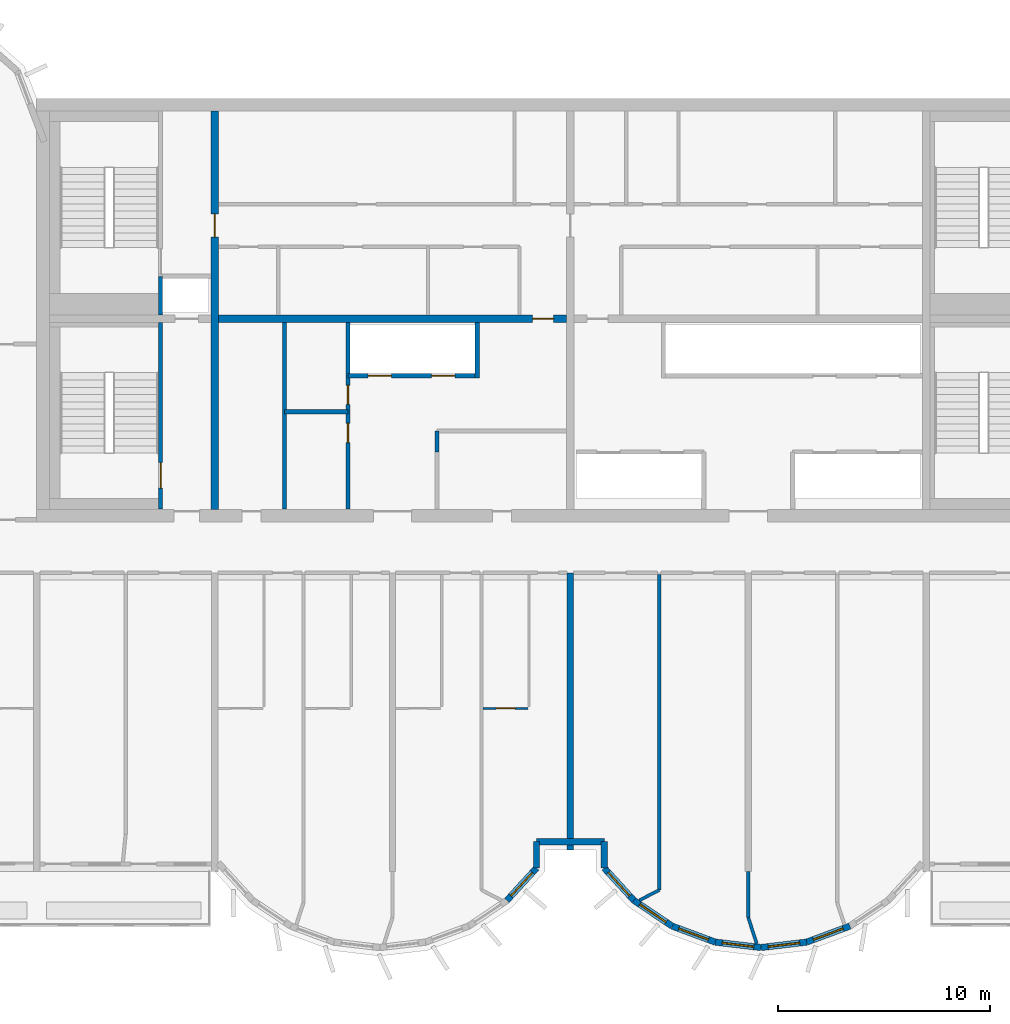
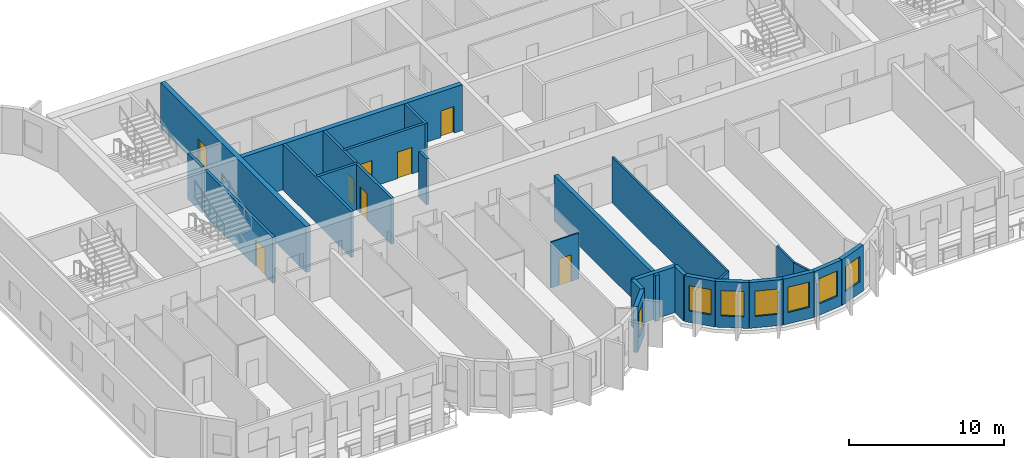
# One storey, part 4 of 12: 26 walls, 8 doors, 7 windows, 15 openings.
"""IFC4 building model written with IfcOpenShell, lengths in metres."""

from ifc_helpers import new_model, si_unit, direction, frame, frame_2d, origin, place, context, subcontext, project, spatial, rectangle, extrude, source, transform, mapped, material, layer, layer_set, type_object, element, fill, save


model = new_model("IFC4")

# Units and contexts
model_context = context("Model", 3, precision=1e-05, world=origin(), true_north=direction((0.0, 1.0)))
body_context = subcontext(model_context, "Body", "Model", "MODEL_VIEW")
ifc_project = project(units=[si_unit("LENGTHUNIT", "METRE"), si_unit("AREAUNIT", "SQUARE_METRE"), si_unit("VOLUMEUNIT", "CUBIC_METRE"), si_unit("PLANEANGLEUNIT", "RADIAN"), si_unit("MASSUNIT", "GRAM", prefix="KILO")], contexts=[model_context])

# Site, building, storey
site_placement = place(None, origin())
site = spatial("IfcSite", under=ifc_project, at=site_placement, CompositionType="ELEMENT")
building_placement = place(site_placement, origin())
building = spatial("IfcBuilding", under=site, at=building_placement, Name="Vanashikhar Sky Hotel", CompositionType="ELEMENT")
storey_placement = place(building_placement, frame((0.0, 0.0, 237.39990234375)))
storey = spatial("IfcBuildingStorey", under=building, at=storey_placement, Name="L57", CompositionType="ELEMENT", Elevation=237.39990234375)

# Wall, opening, door
ifc_material_1 = material(Name="Concrete M60", Category="concrete")
ifc_layer_1 = layer(ifc_material_1, 0.35009765625)
ifc_layer_set_1 = layer_set([ifc_layer_1], Name="RC core inner wall 350 Concrete M60")
wall_type_1 = type_object("IfcWallType", Name="RC core inner wall 350 Concrete M60", PredefinedType="SHEAR", material=ifc_layer_set_1)
shared_shape_1 = source(origin(), body_context, "Body", "SweptSolid", [
    extrude(rectangle(XDim=18.7998046875, YDim=0.35009765625, at=frame_2d((9.39990234375, 0.0))), origin(), (0.0, 0.0, 1.0), 3.6201171875),
])
wall_1_placement = place(storey_placement, frame((33.60009765625, 22.60009765625, 0.0), z_axis=(0.0, 0.0, 1.0), x_axis=(0.0, 1.0, 0.0)))
wall_1 = element("IfcWall", 1, at=wall_1_placement, inside=storey, type_object=wall_type_1, Name="KW-L57-KX1", PredefinedType="SHEAR", context=body_context, shape_type="MappedRepresentation", body=[
    mapped(shared_shape_1, transform((0.0, 0.0, 0.0), scale=1.0)),
])
shared_shape_2 = source(origin(), body_context, "Body", "SweptSolid", [
    extrude(rectangle(XDim=1.10009765625, YDim=2.10009765625, at=frame_2d((0.550048828125, 1.050048828125))), frame((0.0, 0.18505859375, 0.0), z_axis=(0.0, -1.0, 0.0), x_axis=(1.0, 0.0, 0.0)), (0.0, 0.0, 1.0), 0.3701171875),
])
opening_1_placement = place(wall_1_placement, frame((12.85009765625, 0.0, 0.0)))
opening_1 = element("IfcOpeningElement", 2, at=opening_1_placement, cuts=wall_1, Name="Opening DC-4-C", PredefinedType="OPENING", context=body_context, shape_type="MappedRepresentation", body=[
    mapped(shared_shape_2, transform((0.0, 0.0, 0.0), scale=1.0)),
])
ifc_material_2 = material(Name="Steel", Category="steel")
door_type_1 = type_object("IfcDoorType", Name="Service door 1100 FD60", OperationType="NOTDEFINED", PredefinedType="DOOR", material=ifc_material_2)
shared_shape_3 = source(origin(), body_context, "Body", "SweptSolid", [
    extrude(rectangle(XDim=1.10009765625, YDim=2.10009765625, at=frame_2d((0.550048828125, 1.050048828125))), frame((0.0, 0.02490234375, 0.0), z_axis=(0.0, -1.0, 0.0), x_axis=(1.0, 0.0, 0.0)), (0.0, 0.0, 1.0), 0.050048828125),
])
door_1_placement = place(opening_1_placement, origin())
door_1 = element("IfcDoor", 3, at=door_1_placement, inside=storey, type_object=door_type_1, Name="Service door 1100 FD60", OperationType="SINGLE_SWING_RIGHT", OverallHeight=2.10009765625, OverallWidth=1.10009765625, PredefinedType="DOOR", context=body_context, shape_type="MappedRepresentation", body=[
    mapped(shared_shape_3, transform((0.0, 0.0, 0.0), scale=1.0)),
])
fill(opening_1, door_1)

shared_shape_4 = source(origin(), body_context, "Body", "SweptSolid", [
    extrude(rectangle(XDim=16.4501953125, YDim=0.35009765625, at=frame_2d((8.22509765625, 0.0))), origin(), (0.0, 0.0, 1.0), 3.6201171875),
])
wall_2_placement = place(storey_placement, frame((33.77490234375, 31.60009765625, 0.0), z_axis=(0.0, 0.0, 1.0), x_axis=(1.0, 0.0, 0.0)))
wall_2 = element("IfcWall", 4, at=wall_2_placement, inside=storey, type_object=wall_type_1, Name="KW-L57-KY2", PredefinedType="SHEAR", context=body_context, shape_type="MappedRepresentation", body=[
    mapped(shared_shape_4, transform((0.0, 0.0, 0.0), scale=1.0)),
])
shared_shape_5 = source(origin(), body_context, "Body", "SweptSolid", [
    extrude(rectangle(XDim=1.0, YDim=2.10009765625, at=frame_2d((0.5, 1.050048828125))), frame((0.0, 0.18505859375, 0.0), z_axis=(0.0, -1.0, 0.0), x_axis=(1.0, 0.0, 0.0)), (0.0, 0.0, 1.0), 0.3701171875),
])
opening_2_placement = place(wall_2_placement, frame((14.8369140625, 0.0, 0.0)))
opening_2 = element("IfcOpeningElement", 5, at=opening_2_placement, cuts=wall_2, Name="Opening DC-4", PredefinedType="OPENING", context=body_context, shape_type="MappedRepresentation", body=[
    mapped(shared_shape_5, transform((0.0, 0.0, 0.0), scale=1.0)),
])
door_type_2 = type_object("IfcDoorType", Name="Service door 1000 FD60", OperationType="NOTDEFINED", PredefinedType="DOOR", material=ifc_material_2)
shared_shape_6 = source(origin(), body_context, "Body", "SweptSolid", [
    extrude(rectangle(XDim=1.0, YDim=2.10009765625, at=frame_2d((0.5, 1.050048828125))), frame((0.0, 0.02490234375, 0.0), z_axis=(0.0, -1.0, 0.0), x_axis=(1.0, 0.0, 0.0)), (0.0, 0.0, 1.0), 0.050048828125),
])
door_2_placement = place(opening_2_placement, origin())
door_2 = element("IfcDoor", 6, at=door_2_placement, inside=storey, type_object=door_type_2, Name="Service door 1000 FD60", OperationType="SINGLE_SWING_LEFT", OverallHeight=2.10009765625, OverallWidth=1.0, PredefinedType="DOOR", context=body_context, shape_type="MappedRepresentation", body=[
    mapped(shared_shape_6, transform((0.0, 0.0, 0.0), scale=1.0)),
])
fill(opening_2, door_2)

# Wall
ifc_layer_2 = layer(ifc_material_1, 0.300048828125)
ifc_layer_set_2 = layer_set([ifc_layer_2], Name="RC shear wall 300 Concrete M60")
wall_type_2 = type_object("IfcWallType", Name="RC shear wall 300 Concrete M60", PredefinedType="SHEAR", material=ifc_layer_set_2)
shared_shape_7 = source(origin(), body_context, "Body", "SweptSolid", [
    extrude(rectangle(XDim=13.10009765625, YDim=0.300048828125, at=frame_2d((6.550048828125, 0.0))), origin(), (0.0, 0.0, 1.0), 3.6201171875),
])
wall_3_placement = place(storey_placement, frame((50.39990234375, 6.5, 0.0), z_axis=(0.0, 0.0, 1.0), x_axis=(0.0, 1.0, 0.0)))
element("IfcWall", 7, at=wall_3_placement, inside=storey, type_object=wall_type_2, Name="CW-L57-XW07-1", PredefinedType="SHEAR", context=body_context, shape_type="MappedRepresentation", body=[
    mapped(shared_shape_7, transform((0.0, 0.0, 0.0), scale=1.0)),
])

# Wall, opening, window
ifc_material_3 = material(Name="Concrete M50", Category="concrete")
ifc_layer_3 = layer(ifc_material_3, 0.300048828125)
ifc_layer_set_3 = layer_set([ifc_layer_3], Name="Lobe wall 300")
wall_type_3 = type_object("IfcWallType", Name="Lobe wall 300", PredefinedType="SOLIDWALL", material=ifc_layer_set_3)
shared_shape_8 = source(origin(), body_context, "Body", "SweptSolid", [
    extrude(rectangle(XDim=2.17578125, YDim=0.300048828125, at=frame_2d((1.087890625, 0.0))), origin(), (0.0, 0.0, 1.0), 3.6201171875),
])
wall_4_placement = place(storey_placement, frame((53.395751953125, 4.13134765625, 0.0), z_axis=(0.0, 0.0, 1.0), x_axis=(0.829590746428, -0.558371913192, 0.0)))
wall_4 = element("IfcWall", 8, at=wall_4_placement, inside=storey, type_object=wall_type_3, Name="Lobe wall", PredefinedType="SOLIDWALL", context=body_context, shape_type="MappedRepresentation", body=[
    mapped(shared_shape_8, transform((0.0, 0.0, 0.0), scale=1.0)),
])
shared_shape_9 = source(origin(), body_context, "Body", "SweptSolid", [
    extrude(rectangle(XDim=1.5, YDim=2.0, at=frame_2d((0.75, 1.0))), frame((0.0, 0.16015625, 0.0), z_axis=(0.0, -1.0, 0.0), x_axis=(1.0, 0.0, 0.0)), (0.0, 0.0, 1.0), 0.320068359375),
])
opening_3_placement = place(wall_4_placement, frame((0.337890625, 0.0, 0.89990234375)))
opening_3 = element("IfcOpeningElement", 9, at=opening_3_placement, cuts=wall_4, Name="Opening WN-2", PredefinedType="OPENING", context=body_context, shape_type="MappedRepresentation", body=[
    mapped(shared_shape_9, transform((0.0, 0.0, 0.0), scale=1.0)),
])
ifc_material_4 = material(Name="Glass", Category="glass")
window_type = type_object("IfcWindowType", Name="Lobe window 1500 x 2000", PartitioningType="SINGLE_PANEL", PredefinedType="WINDOW", material=ifc_material_4)
shared_shape_10 = source(origin(), body_context, "Body", "SweptSolid", [
    extrude(rectangle(XDim=1.5, YDim=2.0, at=frame_2d((0.75, 1.0))), frame((0.0, 0.030029296875, 0.0), z_axis=(0.0, -1.0, 0.0), x_axis=(1.0, 0.0, 0.0)), (0.0, 0.0, 1.0), 0.06005859375),
])
window_1_placement = place(opening_3_placement, origin())
window_1 = element("IfcWindow", 10, at=window_1_placement, inside=storey, type_object=window_type, Name="Window WN-2", OverallHeight=2.0, OverallWidth=1.5, PartitioningType="SINGLE_PANEL", PredefinedType="WINDOW", context=body_context, shape_type="MappedRepresentation", body=[
    mapped(shared_shape_10, transform((0.0, 0.0, 0.0), scale=1.0)),
])
fill(opening_3, window_1)

wall_5_placement = place(storey_placement, frame((55.20068359375, 2.91650390625, 0.0), z_axis=(0.0, 0.0, 1.0), x_axis=(0.93754555999, -0.347862505801, 0.0)))
wall_5 = element("IfcWall", 11, at=wall_5_placement, inside=storey, type_object=wall_type_3, Name="Lobe wall", PredefinedType="SOLIDWALL", context=body_context, shape_type="MappedRepresentation", body=[
    mapped(shared_shape_8, transform((0.0, 0.0, 0.0), scale=1.0)),
])
opening_4_placement = place(wall_5_placement, frame((0.337890625, 0.0, 0.89990234375)))
opening_4 = element("IfcOpeningElement", 12, at=opening_4_placement, cuts=wall_5, Name="Opening WN-2", PredefinedType="OPENING", context=body_context, shape_type="MappedRepresentation", body=[
    mapped(shared_shape_9, transform((0.0, 0.0, 0.0), scale=1.0)),
])
window_2_placement = place(opening_4_placement, origin())
window_2 = element("IfcWindow", 13, at=window_2_placement, inside=storey, type_object=window_type, Name="Window WN-2", OverallHeight=2.0, OverallWidth=1.5, PartitioningType="SINGLE_PANEL", PredefinedType="WINDOW", context=body_context, shape_type="MappedRepresentation", body=[
    mapped(shared_shape_10, transform((0.0, 0.0, 0.0), scale=1.0)),
])
fill(opening_4, window_2)

shared_shape_11 = source(origin(), body_context, "Body", "SweptSolid", [
    extrude(rectangle(XDim=2.174560546875, YDim=0.300048828125, at=frame_2d((1.08740234375, 0.0))), origin(), (0.0, 0.0, 1.0), 3.6201171875),
])
wall_6_placement = place(storey_placement, frame((57.240478515625, 2.15966796875, 0.0), z_axis=(0.0, 0.0, 1.0), x_axis=(0.993001132889, -0.118104826659, 0.0)))
wall_6 = element("IfcWall", 14, at=wall_6_placement, inside=storey, type_object=wall_type_3, Name="Lobe wall", PredefinedType="SOLIDWALL", context=body_context, shape_type="MappedRepresentation", body=[
    mapped(shared_shape_11, transform((0.0, 0.0, 0.0), scale=1.0)),
])
opening_5_placement = place(wall_6_placement, frame((0.33740234375, 0.0, 0.89990234375)))
opening_5 = element("IfcOpeningElement", 15, at=opening_5_placement, cuts=wall_6, Name="Opening WN-2", PredefinedType="OPENING", context=body_context, shape_type="MappedRepresentation", body=[
    mapped(shared_shape_9, transform((0.0, 0.0, 0.0), scale=1.0)),
])
window_3_placement = place(opening_5_placement, origin())
window_3 = element("IfcWindow", 16, at=window_3_placement, inside=storey, type_object=window_type, Name="Window WN-2", OverallHeight=2.0, OverallWidth=1.5, PartitioningType="SINGLE_PANEL", PredefinedType="WINDOW", context=body_context, shape_type="MappedRepresentation", body=[
    mapped(shared_shape_10, transform((0.0, 0.0, 0.0), scale=1.0)),
])
fill(opening_5, window_3)

shared_shape_12 = source(origin(), body_context, "Body", "SweptSolid", [
    extrude(rectangle(XDim=2.1748046875, YDim=0.300048828125, at=frame_2d((1.08740234375, 0.0))), origin(), (0.0, 0.0, 1.0), 3.6201171875),
])
wall_7_placement = place(storey_placement, frame((59.39990234375, 1.90283203125, 0.0), z_axis=(0.0, 0.0, 1.0), x_axis=(0.993002698611, 0.118091661648, 0.0)))
wall_7 = element("IfcWall", 17, at=wall_7_placement, inside=storey, type_object=wall_type_3, Name="Lobe wall", PredefinedType="SOLIDWALL", context=body_context, shape_type="MappedRepresentation", body=[
    mapped(shared_shape_12, transform((0.0, 0.0, 0.0), scale=1.0)),
])
opening_6_placement = place(wall_7_placement, frame((0.33740234375, 0.0, 0.89990234375)))
opening_6 = element("IfcOpeningElement", 18, at=opening_6_placement, cuts=wall_7, Name="Opening WN-2", PredefinedType="OPENING", context=body_context, shape_type="MappedRepresentation", body=[
    mapped(shared_shape_9, transform((0.0, 0.0, 0.0), scale=1.0)),
])
window_4_placement = place(opening_6_placement, origin())
window_4 = element("IfcWindow", 19, at=window_4_placement, inside=storey, type_object=window_type, Name="Window WN-2", OverallHeight=2.0, OverallWidth=1.5, PartitioningType="SINGLE_PANEL", PredefinedType="WINDOW", context=body_context, shape_type="MappedRepresentation", body=[
    mapped(shared_shape_10, transform((0.0, 0.0, 0.0), scale=1.0)),
])
fill(opening_6, window_4)

shared_shape_13 = source(origin(), body_context, "Body", "SweptSolid", [
    extrude(rectangle(XDim=2.175537109375, YDim=0.300048828125, at=frame_2d((1.087890625, 0.0))), origin(), (0.0, 0.0, 1.0), 3.6201171875),
])
wall_8_placement = place(storey_placement, frame((61.5595703125, 2.15966796875, 0.0), z_axis=(0.0, 0.0, 1.0), x_axis=(0.937531979054, 0.347899106424, 0.0)))
wall_8 = element("IfcWall", 20, at=wall_8_placement, inside=storey, type_object=wall_type_3, Name="Lobe wall", PredefinedType="SOLIDWALL", context=body_context, shape_type="MappedRepresentation", body=[
    mapped(shared_shape_13, transform((0.0, 0.0, 0.0), scale=1.0)),
])
opening_7_placement = place(wall_8_placement, frame((0.337890625, 0.0, 0.89990234375)))
opening_7 = element("IfcOpeningElement", 21, at=opening_7_placement, cuts=wall_8, Name="Opening WN-2", PredefinedType="OPENING", context=body_context, shape_type="MappedRepresentation", body=[
    mapped(shared_shape_9, transform((0.0, 0.0, 0.0), scale=1.0)),
])
window_5_placement = place(opening_7_placement, origin())
window_5 = element("IfcWindow", 22, at=window_5_placement, inside=storey, type_object=window_type, Name="Window WN-2", OverallHeight=2.0, OverallWidth=1.5, PartitioningType="SINGLE_PANEL", PredefinedType="WINDOW", context=body_context, shape_type="MappedRepresentation", body=[
    mapped(shared_shape_10, transform((0.0, 0.0, 0.0), scale=1.0)),
])
fill(opening_7, window_5)

shared_shape_14 = source(origin(), body_context, "Body", "SweptSolid", [
    extrude(rectangle(XDim=2.066650390625, YDim=0.300048828125, at=frame_2d((1.033203125, 0.0))), origin(), (0.0, 0.0, 1.0), 3.6201171875),
])
wall_9_placement = place(storey_placement, frame((47.404296875, 4.13134765625, 0.0), z_axis=(0.0, 0.0, 1.0), x_axis=(0.675355439877, 0.737492393065, 0.0)))
wall_9 = element("IfcWall", 23, at=wall_9_placement, inside=storey, type_object=wall_type_3, Name="Lobe wall", PredefinedType="SOLIDWALL", context=body_context, shape_type="MappedRepresentation", body=[
    mapped(shared_shape_14, transform((0.0, 0.0, 0.0), scale=1.0)),
])
opening_8_placement = place(wall_9_placement, frame((0.283447265625, 0.0, 0.89990234375)))
opening_8 = element("IfcOpeningElement", 24, at=opening_8_placement, cuts=wall_9, Name="Opening WN-2", PredefinedType="OPENING", context=body_context, shape_type="MappedRepresentation", body=[
    mapped(shared_shape_9, transform((0.0, 0.0, 0.0), scale=1.0)),
])
window_6_placement = place(opening_8_placement, origin())
window_6 = element("IfcWindow", 25, at=window_6_placement, inside=storey, type_object=window_type, Name="Window WN-2", OverallHeight=2.0, OverallWidth=1.5, PartitioningType="SINGLE_PANEL", PredefinedType="WINDOW", context=body_context, shape_type="MappedRepresentation", body=[
    mapped(shared_shape_10, transform((0.0, 0.0, 0.0), scale=1.0)),
])
fill(opening_8, window_6)

wall_10_placement = place(storey_placement, frame((52.0, 5.655517578125, 0.0), z_axis=(0.0, 0.0, 1.0), x_axis=(0.675355439877, -0.737492393065, 0.0)))
wall_10 = element("IfcWall", 26, at=wall_10_placement, inside=storey, type_object=wall_type_3, Name="Lobe wall", PredefinedType="SOLIDWALL", context=body_context, shape_type="MappedRepresentation", body=[
    mapped(shared_shape_14, transform((0.0, 0.0, 0.0), scale=1.0)),
])
opening_9_placement = place(wall_10_placement, frame((0.283447265625, 0.0, 0.89990234375)))
opening_9 = element("IfcOpeningElement", 27, at=opening_9_placement, cuts=wall_10, Name="Opening WN-2", PredefinedType="OPENING", context=body_context, shape_type="MappedRepresentation", body=[
    mapped(shared_shape_9, transform((0.0, 0.0, 0.0), scale=1.0)),
])
window_7_placement = place(opening_9_placement, origin())
window_7 = element("IfcWindow", 28, at=window_7_placement, inside=storey, type_object=window_type, Name="Window WN-2", OverallHeight=2.0, OverallWidth=1.5, PartitioningType="SINGLE_PANEL", PredefinedType="WINDOW", context=body_context, shape_type="MappedRepresentation", body=[
    mapped(shared_shape_10, transform((0.0, 0.0, 0.0), scale=1.0)),
])
fill(opening_9, window_7)

# Walls
shared_shape_15 = source(origin(), body_context, "Body", "SweptSolid", [
    extrude(rectangle(XDim=1.244384765625, YDim=0.300048828125, at=frame_2d((0.6220703125, 0.0))), origin(), (0.0, 0.0, 1.0), 3.6201171875),
])
for number, where, z_axis, x_axis, name in (
    (29, (48.800048828125, 5.655517578125, 0.0), (0.0, 0.0, 1.0), (0.0, 1.0, 0.0), "Groove wall"),
    (30, (52.0, 6.89990234375, 0.0), (0.0, 0.0, 1.0), (0.0, -1.0, 0.0), "Groove wall"),
):
    element("IfcWall", number, at=place(storey_placement, frame(where, z_axis=z_axis, x_axis=x_axis)), inside=storey, type_object=wall_type_3, Name=name, PredefinedType="SOLIDWALL", context=body_context, shape_type="MappedRepresentation", body=[
        mapped(shared_shape_15, transform((0.0, 0.0, 0.0), scale=1.0)),
    ])
shared_shape_16 = source(origin(), body_context, "Body", "SweptSolid", [
    extrude(rectangle(XDim=3.199951171875, YDim=0.300048828125, at=frame_2d((1.60009765625, 0.0))), origin(), (0.0, 0.0, 1.0), 3.6201171875),
])
wall_11_placement = place(storey_placement, frame((48.800048828125, 6.89990234375, 0.0), z_axis=(0.0, 0.0, 1.0), x_axis=(1.0, 0.0, 0.0)))
element("IfcWall", 31, at=wall_11_placement, inside=storey, type_object=wall_type_3, Name="Groove wall", PredefinedType="SOLIDWALL", context=body_context, shape_type="MappedRepresentation", body=[
    mapped(shared_shape_16, transform((0.0, 0.0, 0.0), scale=1.0)),
])

# Wall, openings, doors
ifc_material_5 = material(Name="Concrete M40", Category="concrete")
ifc_layer_4 = layer(ifc_material_5, 0.199951171875)
ifc_layer_set_4 = layer_set([ifc_layer_4], Name="Shaft wall 200")
wall_type_4 = type_object("IfcWallType", Name="Shaft wall 200", PredefinedType="SOLIDWALL", material=ifc_layer_set_4)
shared_shape_17 = source(origin(), body_context, "Body", "SweptSolid", [
    extrude(rectangle(XDim=6.0, YDim=0.199951171875, at=frame_2d((3.0, 0.0))), origin(), (0.0, 0.0, 1.0), 3.6201171875),
])
wall_12_placement = place(storey_placement, frame((39.89990234375, 28.89990234375, 0.0), z_axis=(0.0, 0.0, 1.0), x_axis=(1.0, 0.0, 0.0)))
wall_12 = element("IfcWall", 32, at=wall_12_placement, inside=storey, type_object=wall_type_4, Name="Shaft wall 200", PredefinedType="SOLIDWALL", context=body_context, shape_type="MappedRepresentation", body=[
    mapped(shared_shape_17, transform((0.0, 0.0, 0.0), scale=1.0)),
])
shared_shape_18 = source(origin(), body_context, "Body", "SweptSolid", [
    extrude(rectangle(XDim=1.10009765625, YDim=2.10009765625, at=frame_2d((0.550048828125, 1.050048828125))), frame((0.0, 0.10986328125, 0.0), z_axis=(0.0, -1.0, 0.0), x_axis=(1.0, 0.0, 0.0)), (0.0, 0.0, 1.0), 0.219970703125),
])
opening_10_placement = place(wall_12_placement, frame((0.949951171875, 0.0, 0.0)))
opening_10 = element("IfcOpeningElement", 33, at=opening_10_placement, cuts=wall_12, Name="Opening LD", PredefinedType="OPENING", context=body_context, shape_type="MappedRepresentation", body=[
    mapped(shared_shape_18, transform((0.0, 0.0, 0.0), scale=1.0)),
])
opening_11_placement = place(wall_12_placement, frame((3.949951171875, 0.0, 0.0)))
opening_11 = element("IfcOpeningElement", 34, at=opening_11_placement, cuts=wall_12, Name="Opening LD", PredefinedType="OPENING", context=body_context, shape_type="MappedRepresentation", body=[
    mapped(shared_shape_18, transform((0.0, 0.0, 0.0), scale=1.0)),
])
ifc_material_6 = material(Name="Stainless steel", Category="steel")
door_type_3 = type_object("IfcDoorType", Name="Lift landing door 1100", OperationType="NOTDEFINED", PredefinedType="DOOR", material=ifc_material_6)
door_3_placement = place(opening_10_placement, origin())
door_3 = element("IfcDoor", 35, at=door_3_placement, inside=storey, type_object=door_type_3, Name="Lift landing door 1100", OperationType="SLIDING_TO_LEFT", OverallHeight=2.10009765625, OverallWidth=1.10009765625, PredefinedType="DOOR", context=body_context, shape_type="MappedRepresentation", body=[
    mapped(shared_shape_3, transform((0.0, 0.0, 0.0), scale=1.0)),
])
fill(opening_10, door_3)
door_4_placement = place(opening_11_placement, origin())
door_4 = element("IfcDoor", 36, at=door_4_placement, inside=storey, type_object=door_type_3, Name="Lift landing door 1100", OperationType="SLIDING_TO_RIGHT", OverallHeight=2.10009765625, OverallWidth=1.10009765625, PredefinedType="DOOR", context=body_context, shape_type="MappedRepresentation", body=[
    mapped(shared_shape_3, transform((0.0, 0.0, 0.0), scale=1.0)),
])
fill(opening_11, door_4)

ifc_material_7 = material(Name="Gypsum board partition")
ifc_layer_5 = layer(ifc_material_7, 0.14990234375)
ifc_layer_set_5 = layer_set([ifc_layer_5], Name="Service partition 150")
wall_type_5 = type_object("IfcWallType", Name="Service partition 150", PredefinedType="PARTITIONING", material=ifc_layer_set_5)
shared_shape_19 = source(origin(), body_context, "Body", "SweptSolid", [
    extrude(rectangle(XDim=8.824951171875, YDim=0.199951171875, at=frame_2d((4.41259765625, 0.0))), origin(), (0.0, 0.0, 1.0), 3.6201171875),
])
wall_13_placement = place(storey_placement, frame((39.89990234375, 22.60009765625, 0.0), z_axis=(0.0, 0.0, 1.0), x_axis=(0.0, 1.0, 0.0)))
wall_13 = element("IfcWall", 37, at=wall_13_placement, inside=storey, type_object=wall_type_5, Name="Service partition 150", PredefinedType="PARTITIONING", context=body_context, shape_type="MappedRepresentation", body=[
    mapped(shared_shape_19, transform((0.0, 0.0, 0.0), scale=1.0)),
])
shared_shape_20 = source(origin(), body_context, "Body", "SweptSolid", [
    extrude(rectangle(XDim=0.89990234375, YDim=2.10009765625, at=frame_2d((0.449951171875, 1.050048828125))), frame((0.0, 0.10986328125, 0.0), z_axis=(0.0, -1.0, 0.0), x_axis=(1.0, 0.0, 0.0)), (0.0, 0.0, 1.0), 0.219970703125),
])
opening_12_placement = place(wall_13_placement, frame((3.14990234375, 0.0, 0.0)))
opening_12 = element("IfcOpeningElement", 38, at=opening_12_placement, cuts=wall_13, Name="Opening DC-4-A", PredefinedType="OPENING", context=body_context, shape_type="MappedRepresentation", body=[
    mapped(shared_shape_20, transform((0.0, 0.0, 0.0), scale=1.0)),
])
opening_13_placement = place(wall_13_placement, frame((4.949951171875, 0.0, 0.0)))
opening_13 = element("IfcOpeningElement", 39, at=opening_13_placement, cuts=wall_13, Name="Opening DC-4-A", PredefinedType="OPENING", context=body_context, shape_type="MappedRepresentation", body=[
    mapped(shared_shape_20, transform((0.0, 0.0, 0.0), scale=1.0)),
])
door_type_4 = type_object("IfcDoorType", Name="Service door 900 FD60", OperationType="NOTDEFINED", PredefinedType="DOOR", material=ifc_material_2)
shared_shape_21 = source(origin(), body_context, "Body", "SweptSolid", [
    extrude(rectangle(XDim=0.89990234375, YDim=2.10009765625, at=frame_2d((0.449951171875, 1.050048828125))), frame((0.0, 0.02490234375, 0.0), z_axis=(0.0, -1.0, 0.0), x_axis=(1.0, 0.0, 0.0)), (0.0, 0.0, 1.0), 0.050048828125),
])
door_5_placement = place(opening_12_placement, origin())
door_5 = element("IfcDoor", 40, at=door_5_placement, inside=storey, type_object=door_type_4, Name="Service door 900 FD60", OperationType="SINGLE_SWING_LEFT", OverallHeight=2.10009765625, OverallWidth=0.89990234375, PredefinedType="DOOR", context=body_context, shape_type="MappedRepresentation", body=[
    mapped(shared_shape_21, transform((0.0, 0.0, 0.0), scale=1.0)),
])
fill(opening_12, door_5)
door_6_placement = place(opening_13_placement, origin())
door_6 = element("IfcDoor", 41, at=door_6_placement, inside=storey, type_object=door_type_4, Name="Service door 900 FD60", OperationType="SINGLE_SWING_RIGHT", OverallHeight=2.10009765625, OverallWidth=0.89990234375, PredefinedType="DOOR", context=body_context, shape_type="MappedRepresentation", body=[
    mapped(shared_shape_21, transform((0.0, 0.0, 0.0), scale=1.0)),
])
fill(opening_13, door_6)

# Walls
wall_14_placement = place(storey_placement, frame((36.89990234375, 22.60009765625, 0.0), z_axis=(0.0, 0.0, 1.0), x_axis=(0.0, 1.0, 0.0)))
element("IfcWall", 42, at=wall_14_placement, inside=storey, type_object=wall_type_5, Name="Service partition 150", PredefinedType="PARTITIONING", context=body_context, shape_type="MappedRepresentation", body=[
    mapped(shared_shape_19, transform((0.0, 0.0, 0.0), scale=1.0)),
])
shared_shape_22 = source(origin(), body_context, "Body", "SweptSolid", [
    extrude(rectangle(XDim=2.625, YDim=0.199951171875, at=frame_2d((1.3125, 0.0))), origin(), (0.0, 0.0, 1.0), 3.6201171875),
])
wall_15_placement = place(storey_placement, frame((46.0, 28.800048828125, 0.0), z_axis=(0.0, 0.0, 1.0), x_axis=(0.0, 1.0, 0.0)))
element("IfcWall", 43, at=wall_15_placement, inside=storey, type_object=wall_type_4, Name="Shaft wall 200", PredefinedType="SOLIDWALL", context=body_context, shape_type="MappedRepresentation", body=[
    mapped(shared_shape_22, transform((0.0, 0.0, 0.0), scale=1.0)),
])
shared_shape_23 = source(origin(), body_context, "Body", "SweptSolid", [
    extrude(rectangle(XDim=1.0, YDim=0.199951171875, at=frame_2d((0.5, 0.0))), origin(), (0.0, 0.0, 1.0), 3.6201171875),
])
wall_16_placement = place(storey_placement, frame((44.10009765625, 25.300048828125, 0.0), z_axis=(0.0, 0.0, 1.0), x_axis=(0.0, 1.0, 0.0)))
element("IfcWall", 44, at=wall_16_placement, inside=storey, type_object=wall_type_5, Name="Service partition 150", PredefinedType="PARTITIONING", context=body_context, shape_type="MappedRepresentation", body=[
    mapped(shared_shape_23, transform((0.0, 0.0, 0.0), scale=1.0)),
])

# Wall, opening, door
ifc_layer_6 = layer(ifc_material_3, 0.199951171875)
ifc_layer_set_6 = layer_set([ifc_layer_6], Name="Stair wall 200")
wall_type_6 = type_object("IfcWallType", Name="Stair wall 200", PredefinedType="SOLIDWALL", material=ifc_layer_set_6)
shared_shape_24 = source(origin(), body_context, "Body", "SweptSolid", [
    extrude(rectangle(XDim=8.824951171875, YDim=0.199951171875, at=frame_2d((4.41259765625, 0.0))), origin(), (0.0, 0.0, 1.0), 3.6201171875),
])
wall_17_placement = place(storey_placement, frame((31.050048828125, 22.60009765625, 0.0), z_axis=(0.0, 0.0, 1.0), x_axis=(0.0, 1.0, 0.0)))
wall_17 = element("IfcWall", 45, at=wall_17_placement, inside=storey, type_object=wall_type_6, Name="Stair wall 200", PredefinedType="SOLIDWALL", context=body_context, shape_type="MappedRepresentation", body=[
    mapped(shared_shape_24, transform((0.0, 0.0, 0.0), scale=1.0)),
])
shared_shape_25 = source(origin(), body_context, "Body", "SweptSolid", [
    extrude(rectangle(XDim=1.199951171875, YDim=2.10009765625, at=frame_2d((0.60009765625, 1.050048828125))), frame((0.0, 0.10986328125, 0.0), z_axis=(0.0, -1.0, 0.0), x_axis=(1.0, 0.0, 0.0)), (0.0, 0.0, 1.0), 0.219970703125),
])
opening_14_placement = place(wall_17_placement, frame((1.0, 0.0, 0.0)))
opening_14 = element("IfcOpeningElement", 46, at=opening_14_placement, cuts=wall_17, Name="Opening DC-1", PredefinedType="OPENING", context=body_context, shape_type="MappedRepresentation", body=[
    mapped(shared_shape_25, transform((0.0, 0.0, 0.0), scale=1.0)),
])
door_type_5 = type_object("IfcDoorType", Name="Stair door 1200 FD120", OperationType="NOTDEFINED", PredefinedType="DOOR", material=ifc_material_2)
shared_shape_26 = source(origin(), body_context, "Body", "SweptSolid", [
    extrude(rectangle(XDim=1.199951171875, YDim=2.10009765625, at=frame_2d((0.60009765625, 1.050048828125))), frame((0.0, 0.02490234375, 0.0), z_axis=(0.0, -1.0, 0.0), x_axis=(1.0, 0.0, 0.0)), (0.0, 0.0, 1.0), 0.050048828125),
])
door_7_placement = place(opening_14_placement, origin())
door_7 = element("IfcDoor", 47, at=door_7_placement, inside=storey, type_object=door_type_5, Name="Stair door 1200 FD120", OperationType="SINGLE_SWING_RIGHT", OverallHeight=2.10009765625, OverallWidth=1.199951171875, PredefinedType="DOOR", context=body_context, shape_type="MappedRepresentation", body=[
    mapped(shared_shape_26, transform((0.0, 0.0, 0.0), scale=1.0)),
])
fill(opening_14, door_7)

# Walls
shared_shape_27 = source(origin(), body_context, "Body", "SweptSolid", [
    extrude(rectangle(XDim=1.8251953125, YDim=0.199951171875, at=frame_2d((0.91259765625, 0.0))), origin(), (0.0, 0.0, 1.0), 3.6201171875),
])
wall_18_placement = place(storey_placement, frame((31.050048828125, 31.77490234375, 0.0), z_axis=(0.0, 0.0, 1.0), x_axis=(0.0, 1.0, 0.0)))
element("IfcWall", 48, at=wall_18_placement, inside=storey, type_object=wall_type_4, Name="Shaft wall 200", PredefinedType="SOLIDWALL", context=body_context, shape_type="MappedRepresentation", body=[
    mapped(shared_shape_27, transform((0.0, 0.0, 0.0), scale=1.0)),
])
shared_shape_28 = source(origin(), body_context, "Body", "SweptSolid", [
    extrude(rectangle(XDim=3.0, YDim=0.199951171875, at=frame_2d((1.5, 0.0))), origin(), (0.0, 0.0, 1.0), 3.6201171875),
])
wall_19_placement = place(storey_placement, frame((36.89990234375, 27.199951171875, 0.0), z_axis=(0.0, 0.0, 1.0), x_axis=(1.0, 0.0, 0.0)))
element("IfcWall", 49, at=wall_19_placement, inside=storey, type_object=wall_type_5, Name="Service partition 150", PredefinedType="PARTITIONING", context=body_context, shape_type="MappedRepresentation", body=[
    mapped(shared_shape_28, transform((0.0, 0.0, 0.0), scale=1.0)),
])

# Wall, opening, door
ifc_material_8 = material(Name="Gypsum plasterboard partition")
ifc_layer_7 = layer(ifc_material_8, 0.10009765625)
ifc_layer_set_7 = layer_set([ifc_layer_7], Name="Wet room partition 100")
wall_type_7 = type_object("IfcWallType", Name="Wet room partition 100", PredefinedType="PARTITIONING", material=ifc_layer_set_7)
shared_shape_29 = source(origin(), body_context, "Body", "SweptSolid", [
    extrude(rectangle(XDim=2.125, YDim=0.10009765625, at=frame_2d((1.0625, 0.0))), origin(), (0.0, 0.0, 1.0), 3.6201171875),
])
wall_20_placement = place(storey_placement, frame((46.27490234375, 13.199951171875, 0.0), z_axis=(0.0, 0.0, 1.0), x_axis=(1.0, 0.0, 0.0)))
wall_20 = element("IfcWall", 50, at=wall_20_placement, inside=storey, type_object=wall_type_7, Name="W-L57-PW022", PredefinedType="PARTITIONING", context=body_context, shape_type="MappedRepresentation", body=[
    mapped(shared_shape_29, transform((0.0, 0.0, 0.0), scale=1.0)),
])
shared_shape_30 = source(origin(), body_context, "Body", "SweptSolid", [
    extrude(rectangle(XDim=0.89990234375, YDim=2.10009765625, at=frame_2d((0.449951171875, 1.050048828125))), frame((0.0, 0.06005859375, 0.0), z_axis=(0.0, -1.0, 0.0), x_axis=(1.0, 0.0, 0.0)), (0.0, 0.0, 1.0), 0.1201171875),
])
opening_15_placement = place(wall_20_placement, frame((0.613037109375, 0.0, 0.0)))
opening_15 = element("IfcOpeningElement", 51, at=opening_15_placement, cuts=wall_20, Name="Opening D-02", PredefinedType="OPENING", context=body_context, shape_type="MappedRepresentation", body=[
    mapped(shared_shape_30, transform((0.0, 0.0, 0.0), scale=1.0)),
])
ifc_material_9 = material(Name="Timber door", Category="wood")
door_type_6 = type_object("IfcDoorType", Name="Internal door 900", OperationType="NOTDEFINED", PredefinedType="DOOR", material=ifc_material_9)
door_8_placement = place(opening_15_placement, origin())
door_8 = element("IfcDoor", 52, at=door_8_placement, inside=storey, type_object=door_type_6, Name="D-L57-013", OperationType="SINGLE_SWING_RIGHT", OverallHeight=2.10009765625, OverallWidth=0.89990234375, PredefinedType="DOOR", context=body_context, shape_type="MappedRepresentation", body=[
    mapped(shared_shape_21, transform((0.0, 0.0, 0.0), scale=1.0)),
])
fill(opening_15, door_8)

# Walls
ifc_layer_8 = layer(ifc_material_8, 0.14990234375)
ifc_layer_set_8 = layer_set([ifc_layer_8], Name="Corridor and demising partition 150")
wall_type_8 = type_object("IfcWallType", Name="Corridor and demising partition 150", PredefinedType="PARTITIONING", material=ifc_layer_set_8)
shared_shape_31 = source(origin(), body_context, "Body", "SweptSolid", [
    extrude(rectangle(XDim=14.906005859375, YDim=0.14990234375, at=frame_2d((7.453125, 0.0))), origin(), (0.0, 0.0, 1.0), 3.6201171875),
])
wall_21_placement = place(storey_placement, frame((54.60009765625, 4.618896484375, 0.0), z_axis=(0.0, 0.0, 1.0), x_axis=(0.0, 1.0, 0.0)))
element("IfcWall", 53, at=wall_21_placement, inside=storey, type_object=wall_type_8, Name="W-L57-PW027", PredefinedType="PARTITIONING", context=body_context, shape_type="MappedRepresentation", body=[
    mapped(shared_shape_31, transform((0.0, 0.0, 0.0), scale=1.0)),
])
shared_shape_32 = source(origin(), body_context, "Body", "SweptSolid", [
    extrude(rectangle(XDim=2.177978515625, YDim=0.14990234375, at=frame_2d((1.0888671875, 0.0))), origin(), (0.0, 0.0, 1.0), 3.6201171875),
])
wall_22_placement = place(storey_placement, frame((58.800048828125, 3.322021484375, 0.0), z_axis=(0.0, 0.0, 1.0), x_axis=(0.0, 1.0, 0.0)))
element("IfcWall", 54, at=wall_22_placement, inside=storey, type_object=wall_type_8, Name="W-L57-PW040", PredefinedType="PARTITIONING", context=body_context, shape_type="MappedRepresentation", body=[
    mapped(shared_shape_32, transform((0.0, 0.0, 0.0), scale=1.0)),
])
shared_shape_33 = source(origin(), body_context, "Body", "SweptSolid", [
    extrude(rectangle(XDim=1.057861328125, YDim=0.14990234375, at=frame_2d((0.52880859375, 0.0))), origin(), (0.0, 0.0, 1.0), 3.6201171875),
])
wall_23_placement = place(storey_placement, frame((53.659912109375, 4.134033203125, 0.0), z_axis=(0.0, 0.0, 1.0), x_axis=(0.888772319209, 0.458348955063, 0.0)))
element("IfcWall", 55, at=wall_23_placement, inside=storey, type_object=wall_type_8, Name="W-L57-PW027B0", PredefinedType="PARTITIONING", context=body_context, shape_type="MappedRepresentation", body=[
    mapped(shared_shape_33, transform((0.0, 0.0, 0.0), scale=1.0)),
])
shared_shape_34 = source(origin(), body_context, "Body", "SweptSolid", [
    extrude(rectangle(XDim=1.308349609375, YDim=0.14990234375, at=frame_2d((0.654296875, 0.0))), origin(), (0.0, 0.0, 1.0), 3.6201171875),
])
wall_24_placement = place(storey_placement, frame((59.201904296875, 2.076904296875, 0.0), z_axis=(0.0, 0.0, 1.0), x_axis=(-0.307144529633, 0.951662880392, 0.0)))
element("IfcWall", 56, at=wall_24_placement, inside=storey, type_object=wall_type_8, Name="W-L57-PW040B0", PredefinedType="PARTITIONING", context=body_context, shape_type="MappedRepresentation", body=[
    mapped(shared_shape_34, transform((0.0, 0.0, 0.0), scale=1.0)),
])

save(model, "model.ifc")
